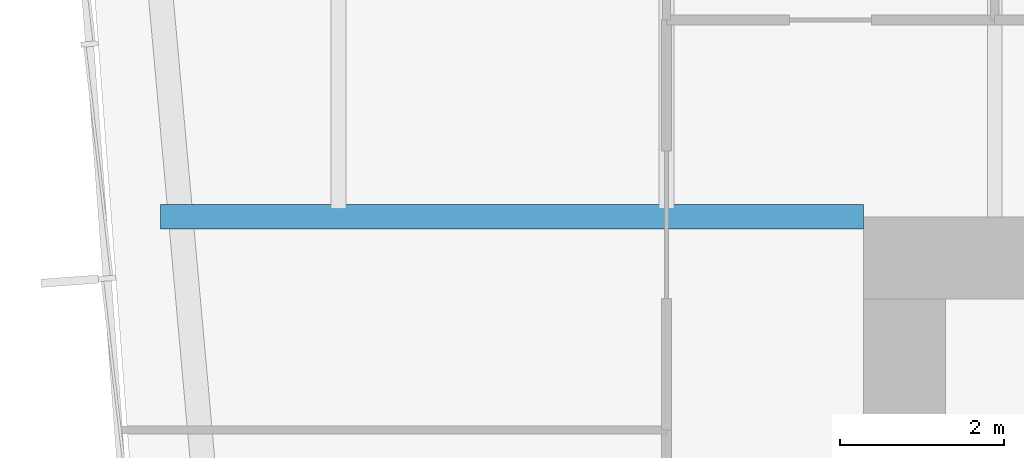
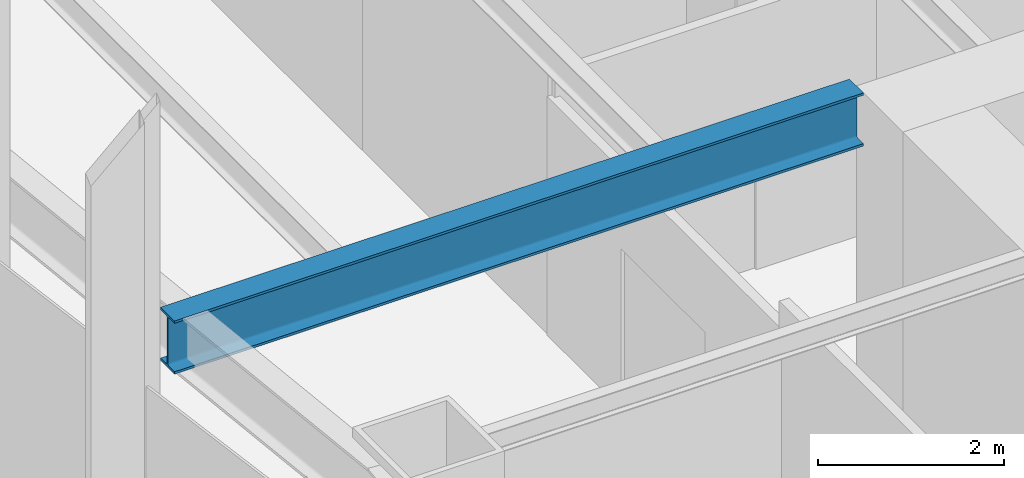
# One storey, part 3 of 14: 1 beam.
"""IFC4 building model written with IfcOpenShell, lengths in metres."""

from ifc_helpers import new_model, si_unit, direction, frame, origin, origin_2d, place, context, subcontext, project, spatial, i_section, extrude, material, material_profile, profile_set, type_object, element, save


model = new_model("IFC4")

# Units and contexts
model_context = context("Model", 3, precision=1e-05, world=origin(), true_north=direction((0.0, 1.0)))
body_context = subcontext(model_context, "Body", "Model", "MODEL_VIEW")
ifc_project = project(units=[si_unit("LENGTHUNIT", "METRE"), si_unit("AREAUNIT", "SQUARE_METRE"), si_unit("VOLUMEUNIT", "CUBIC_METRE"), si_unit("PLANEANGLEUNIT", "RADIAN"), si_unit("MASSUNIT", "GRAM", prefix="KILO")], contexts=[model_context])

# Site, building, storey
site_placement = place(None, origin())
site = spatial("IfcSite", under=ifc_project, at=site_placement, CompositionType="ELEMENT")
building_placement = place(site_placement, origin())
building = spatial("IfcBuilding", under=site, at=building_placement, Name="Verdant Reach Tower", CompositionType="ELEMENT")
storey_placement = place(building_placement, frame((0.0, 0.0, 150.0)))
storey = spatial("IfcBuildingStorey", under=building, at=storey_placement, Name="L34", CompositionType="ELEMENT", Elevation=150.0)

# Beam
ifc_material = material(Name="Steel S355", Category="steel")
ifc_material_profile = material_profile(ifc_material, i_section(OverallWidth=0.300048828125, OverallDepth=0.699951171875, WebThickness=0.01708984375, FlangeThickness=0.031982421875, FilletRadius=0.027099609375, at=origin_2d()), Name="HEB 700")
ifc_profile_set = profile_set([ifc_material_profile], Name="Steel S355")
beam_type = type_object("IfcBeamType", Name="ST-BEAM-HEB700", PredefinedType="BEAM", material=ifc_profile_set)
beam_placement = place(storey_placement, frame((-13.60009765625, 38.60009765625, 3.52001953125), z_axis=(-1.0, 0.0, 0.0), x_axis=(0.0, -1.0, 0.0)))
element("IfcBeam", 1, at=beam_placement, inside=storey, type_object=beam_type, Name="Trimmer beam, L34", PredefinedType="BEAM", context=body_context, shape_type="SweptSolid", body=[
    extrude(i_section(OverallWidth=0.300048828125, OverallDepth=0.699951171875, WebThickness=0.01708984375, FlangeThickness=0.031982421875, FilletRadius=0.027099609375, at=origin_2d()), origin(), (0.0, 0.0, 1.0), 8.568115234375),
])

save(model, "model.ifc")
